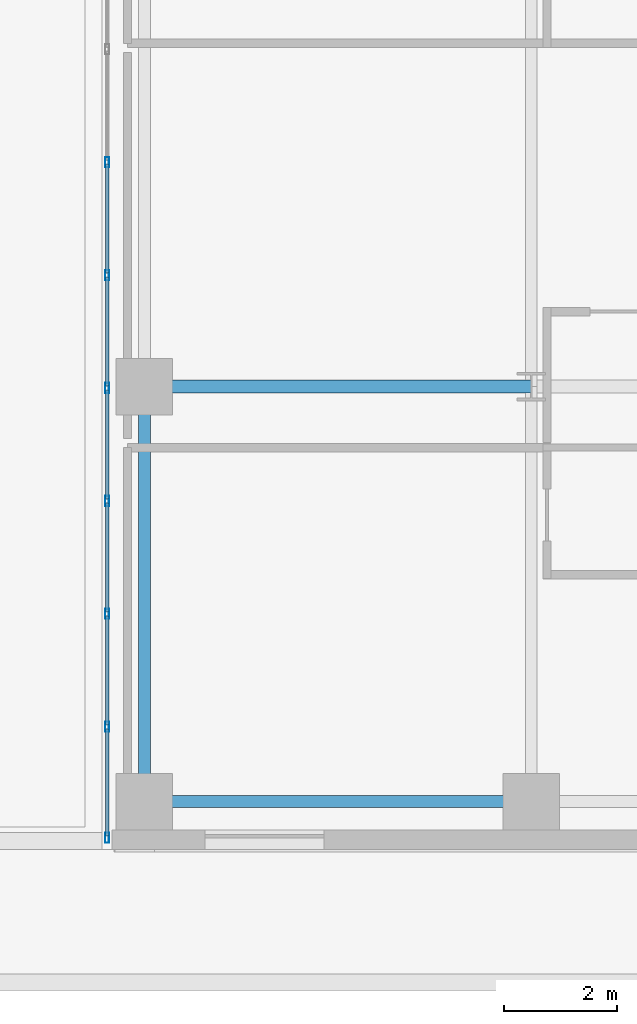
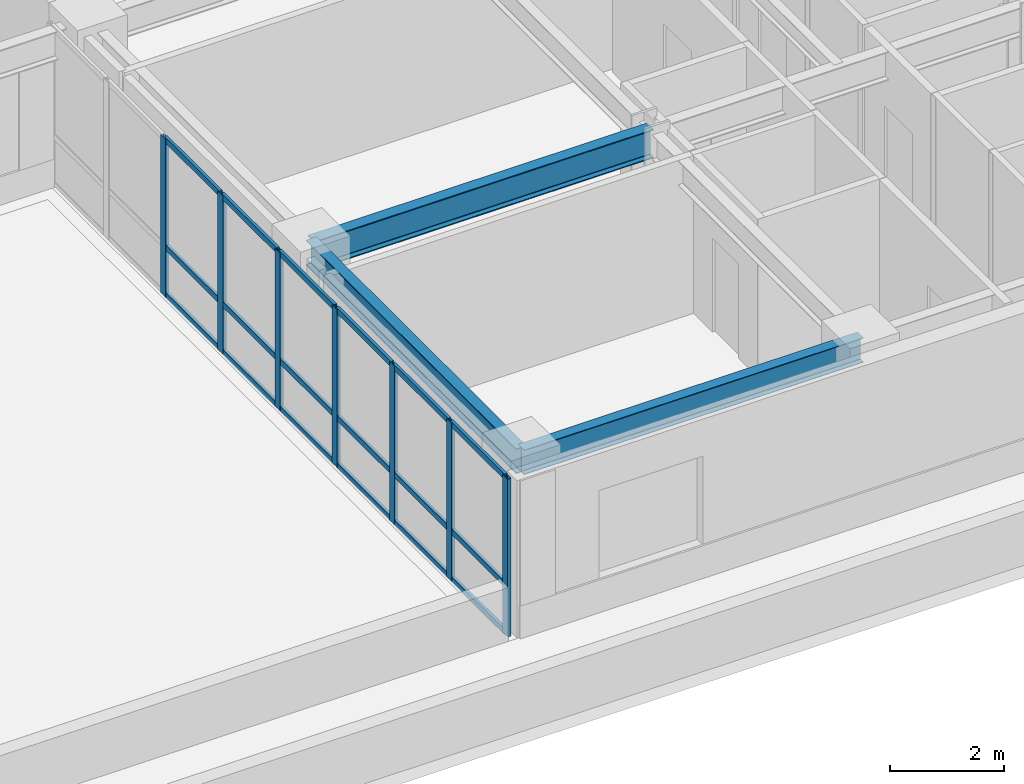
# One storey, part 8 of 25: 25 members, 3 beams, 1 element without a shape of its own.
"""IFC4 building model written with IfcOpenShell, lengths in metres."""

from ifc_helpers import new_model, si_unit, direction, frame, origin, origin_2d, place, context, subcontext, project, spatial, hollow_rectangle, i_section, extrude, source, transform, mapped, material, layer, layer_set, material_profile, profile_set, type_object, type_shapes, element, aggregate, save


model = new_model("IFC4")

# Units and contexts
model_context = context("Model", 3, precision=1e-05, world=origin(), true_north=direction((0.0, 1.0)))
body_context = subcontext(model_context, "Body", "Model", "MODEL_VIEW")
ifc_project = project(units=[si_unit("LENGTHUNIT", "METRE"), si_unit("AREAUNIT", "SQUARE_METRE"), si_unit("VOLUMEUNIT", "CUBIC_METRE"), si_unit("PLANEANGLEUNIT", "RADIAN"), si_unit("MASSUNIT", "GRAM", prefix="KILO")], contexts=[model_context])

# Site, building, storey
site_placement = place(None, origin())
site = spatial("IfcSite", under=ifc_project, at=site_placement, CompositionType="ELEMENT")
building_placement = place(site_placement, origin())
building = spatial("IfcBuilding", under=site, at=building_placement, Name="Tolvann Quenvar Hotel", CompositionType="ELEMENT")
storey_placement = place(building_placement, frame((0.0, 0.0, 32.0)))
storey = spatial("IfcBuildingStorey", under=building, at=storey_placement, Name="L06", CompositionType="ELEMENT", Elevation=32.0)

# Beams
ifc_material_1 = material(Name="Steel Grade 350", Category="steel")
ifc_material_profile_1 = material_profile(ifc_material_1, i_section(OverallWidth=0.208984375, OverallDepth=0.528076171875, WebThickness=0.009521484375, FlangeThickness=0.01318359375, FilletRadius=0.013916015625, at=origin_2d()), Name="530UB82")
ifc_profile_set_1 = profile_set([ifc_material_profile_1], Name="Steel Grade 350")
beam_type_1 = type_object("IfcBeamType", Name="BM_SPAND_530UB82", PredefinedType="SPANDREL", material=ifc_profile_set_1)
shared_shape_1 = source(origin(), body_context, "Body", "SweptSolid", [
    extrude(i_section(OverallWidth=0.208984375, OverallDepth=0.528076171875, WebThickness=0.009521484375, FlangeThickness=0.01318359375, FilletRadius=0.013916015625, at=origin_2d()), origin(), (0.0, 0.0, 1.0), 6.85009765625),
])
type_shapes(beam_type_1, [shared_shape_1])
beam_1_placement = place(storey_placement, frame((34.949951171875, 0.85009765625, 3.10595703125), z_axis=(1.0, 0.0, 0.0), x_axis=(0.0, 1.0, 0.0)))
element("IfcBeam", 1, at=beam_1_placement, inside=storey, type_object=beam_type_1, Name="BM-L06-EW-2-F2-H2", PredefinedType="SPANDREL", context=body_context, shape_type="MappedRepresentation", body=[
    mapped(shared_shape_1, transform((0.0, 0.0, 0.0), x_axis=(1.0, 0.0, 0.0), y_axis=(0.0, 1.0, 0.0), z_axis=(0.0, 0.0, 1.0), scale=1.0)),
])
ifc_material_profile_2 = material_profile(ifc_material_1, i_section(OverallWidth=0.22900390625, OverallDepth=0.612060546875, WebThickness=0.011962890625, FlangeThickness=0.01953125, FilletRadius=0.013916015625, at=origin_2d()), Name="610UB125")
ifc_profile_set_2 = profile_set([ifc_material_profile_2], Name="Steel Grade 350")
beam_type_2 = type_object("IfcBeamType", Name="BM_GIRD_610UB125", PredefinedType="BEAM", material=ifc_profile_set_2)
shared_shape_2 = source(origin(), body_context, "Body", "SweptSolid", [
    extrude(i_section(OverallWidth=0.22900390625, OverallDepth=0.612060546875, WebThickness=0.011962890625, FlangeThickness=0.01953125, FilletRadius=0.013916015625, at=origin_2d()), origin(), (0.0, 0.0, 1.0), 6.85009765625),
])
type_shapes(beam_type_2, [shared_shape_2])
beam_2_placement = place(storey_placement, frame((34.949951171875, 8.199951171875, 3.06396484375), z_axis=(1.0, 0.0, 0.0), x_axis=(0.0, 1.0, 0.0)))
element("IfcBeam", 2, at=beam_2_placement, inside=storey, type_object=beam_type_2, Name="BM-L06-EW-3-F3-H3", PredefinedType="BEAM", context=body_context, shape_type="MappedRepresentation", body=[
    mapped(shared_shape_2, transform((0.0, 0.0, 0.0), x_axis=(1.0, 0.0, 0.0), y_axis=(0.0, 1.0, 0.0), z_axis=(0.0, 0.0, 1.0), scale=1.0)),
])
ifc_material_profile_3 = material_profile(ifc_material_1, i_section(OverallWidth=0.208984375, OverallDepth=0.532958984375, WebThickness=0.01025390625, FlangeThickness=0.015625, FilletRadius=0.013916015625, at=origin_2d()), Name="530UB92")
ifc_profile_set_3 = profile_set([ifc_material_profile_3], Name="Steel Grade 350")
beam_type_3 = type_object("IfcBeamType", Name="BM_GIRD_530UB92", PredefinedType="BEAM", material=ifc_profile_set_3)
shared_shape_3 = source(origin(), body_context, "Body", "SweptSolid", [
    extrude(i_section(OverallWidth=0.208984375, OverallDepth=0.532958984375, WebThickness=0.01025390625, FlangeThickness=0.015625, FilletRadius=0.013916015625, at=origin_2d()), origin(), (0.0, 0.0, 1.0), 7.349853515625),
])
type_shapes(beam_type_3, [shared_shape_3])
beam_3_placement = place(storey_placement, frame((34.949951171875, 0.85009765625, 3.103515625), z_axis=(0.0, 1.0, 0.0), x_axis=(-1.0, 0.0, 0.0)))
element("IfcBeam", 3, at=beam_3_placement, inside=storey, type_object=beam_type_3, Name="BM-L06-NS-F2-F3", PredefinedType="BEAM", context=body_context, shape_type="MappedRepresentation", body=[
    mapped(shared_shape_3, transform((0.0, 0.0, 0.0), x_axis=(1.0, 0.0, 0.0), y_axis=(0.0, 1.0, 0.0), z_axis=(0.0, 0.0, 1.0), scale=1.0)),
])

# Curtain wall, members
ifc_material_2 = material(Name="Thermally broken anodised architectural aluminium 6063-T6 and laminated low-E glass", Category="aluminium")
ifc_layer = layer(ifc_material_2, 0.179931640625)
ifc_layer_set = layer_set([ifc_layer], Name="Thermally broken anodised architectural aluminium 6063-T6 and laminated low-E glass")
curtain_wall_type = type_object("IfcCurtainWallType", Name="CW_SYS_SLOT_03", PredefinedType="USERDEFINED", material=ifc_layer_set)
curtain_wall_placement = place(storey_placement, origin())
curtain_wall = element("IfcCurtainWall", 4, at=curtain_wall_placement, inside=storey, type_object=curtain_wall_type, Name="Curtain Wall CW-SLOT-03 (CWR-L06-E07)", ObjectType="UNITISED CURTAIN WALL", PredefinedType="USERDEFINED")
ifc_material_3 = material(Name="Anodised architectural aluminium 6063-T6 framing", Category="aluminium")
ifc_material_profile_4 = material_profile(ifc_material_3, hollow_rectangle(XDim=0.070068359375, YDim=0.179931640625, WallThickness=0.00390625, at=origin_2d()), Name="180x70x4RHS")
ifc_profile_set_4 = profile_set([ifc_material_profile_4], Name="Anodised architectural aluminium 6063-T6 framing")
member_type_1 = type_object("IfcMemberType", Name="CW_MULL_180x70", PredefinedType="MULLION", material=ifc_profile_set_4)
shared_shape_4 = source(origin(), body_context, "Body", "SweptSolid", [
    extrude(hollow_rectangle(XDim=0.070068359375, YDim=0.179931640625, WallThickness=0.00390625, at=origin_2d()), origin(), (0.0, 0.0, 1.0), 3.3701171875),
])
type_shapes(member_type_1, [shared_shape_4])
member_1_placement = place(storey_placement, frame((34.2900390625, 12.175048828125, 0.0), z_axis=(0.0, 0.0, 1.0), x_axis=(1.0, 0.0, 0.0)))
member_1 = element("IfcMember", 5, at=member_1_placement, type_object=member_type_1, Name="CW-SLOT-03 mullion 3", PredefinedType="MULLION", context=body_context, shape_type="MappedRepresentation", body=[
    mapped(shared_shape_4, transform((0.0, 0.0, 0.0), x_axis=(1.0, 0.0, 0.0), y_axis=(0.0, 1.0, 0.0), z_axis=(0.0, 0.0, 1.0), scale=1.0)),
])
member_2_placement = place(storey_placement, frame((34.2900390625, 10.175048828125, 0.0), z_axis=(0.0, 0.0, 1.0), x_axis=(1.0, 0.0, 0.0)))
member_2 = element("IfcMember", 6, at=member_2_placement, type_object=member_type_1, Name="CW-SLOT-03 mullion 4", PredefinedType="MULLION", context=body_context, shape_type="MappedRepresentation", body=[
    mapped(shared_shape_4, transform((0.0, 0.0, 0.0), x_axis=(1.0, 0.0, 0.0), y_axis=(0.0, 1.0, 0.0), z_axis=(0.0, 0.0, 1.0), scale=1.0)),
])
member_3_placement = place(storey_placement, frame((34.2900390625, 8.175048828125, 0.0), z_axis=(0.0, 0.0, 1.0), x_axis=(1.0, 0.0, 0.0)))
member_3 = element("IfcMember", 7, at=member_3_placement, type_object=member_type_1, Name="CW-SLOT-03 mullion 5", PredefinedType="MULLION", context=body_context, shape_type="MappedRepresentation", body=[
    mapped(shared_shape_4, transform((0.0, 0.0, 0.0), x_axis=(1.0, 0.0, 0.0), y_axis=(0.0, 1.0, 0.0), z_axis=(0.0, 0.0, 1.0), scale=1.0)),
])
member_4_placement = place(storey_placement, frame((34.2900390625, 6.175048828125, 0.0), z_axis=(0.0, 0.0, 1.0), x_axis=(1.0, 0.0, 0.0)))
member_4 = element("IfcMember", 8, at=member_4_placement, type_object=member_type_1, Name="CW-SLOT-03 mullion 6", PredefinedType="MULLION", context=body_context, shape_type="MappedRepresentation", body=[
    mapped(shared_shape_4, transform((0.0, 0.0, 0.0), x_axis=(1.0, 0.0, 0.0), y_axis=(0.0, 1.0, 0.0), z_axis=(0.0, 0.0, 1.0), scale=1.0)),
])
member_5_placement = place(storey_placement, frame((34.2900390625, 4.175048828125, 0.0), z_axis=(0.0, 0.0, 1.0), x_axis=(1.0, 0.0, 0.0)))
member_5 = element("IfcMember", 9, at=member_5_placement, type_object=member_type_1, Name="CW-SLOT-03 mullion 7", PredefinedType="MULLION", context=body_context, shape_type="MappedRepresentation", body=[
    mapped(shared_shape_4, transform((0.0, 0.0, 0.0), x_axis=(1.0, 0.0, 0.0), y_axis=(0.0, 1.0, 0.0), z_axis=(0.0, 0.0, 1.0), scale=1.0)),
])
member_6_placement = place(storey_placement, frame((34.2900390625, 2.175048828125, 0.0), z_axis=(0.0, 0.0, 1.0), x_axis=(1.0, 0.0, 0.0)))
member_6 = element("IfcMember", 10, at=member_6_placement, type_object=member_type_1, Name="CW-SLOT-03 mullion 8", PredefinedType="MULLION", context=body_context, shape_type="MappedRepresentation", body=[
    mapped(shared_shape_4, transform((0.0, 0.0, 0.0), x_axis=(1.0, 0.0, 0.0), y_axis=(0.0, 1.0, 0.0), z_axis=(0.0, 0.0, 1.0), scale=1.0)),
])
member_7_placement = place(storey_placement, frame((34.2900390625, 0.2099609375, 0.0), z_axis=(0.0, 0.0, 1.0), x_axis=(1.0, 0.0, 0.0)))
member_7 = element("IfcMember", 11, at=member_7_placement, type_object=member_type_1, Name="CW-SLOT-03 mullion 9", PredefinedType="MULLION", context=body_context, shape_type="MappedRepresentation", body=[
    mapped(shared_shape_4, transform((0.0, 0.0, 0.0), x_axis=(1.0, 0.0, 0.0), y_axis=(0.0, 1.0, 0.0), z_axis=(0.0, 0.0, 1.0), scale=1.0)),
])
ifc_material_profile_5 = material_profile(ifc_material_3, hollow_rectangle(XDim=0.06005859375, YDim=0.1201171875, WallThickness=0.00341796875, at=origin_2d()), Name="120x60x3.5RHS")
ifc_profile_set_5 = profile_set([ifc_material_profile_5], Name="Anodised architectural aluminium 6063-T6 framing")
member_type_2 = type_object("IfcMemberType", Name="CW_TRAN_120x60", PredefinedType="USERDEFINED", material=ifc_profile_set_5)
shared_shape_5 = source(origin(), body_context, "Body", "SweptSolid", [
    extrude(hollow_rectangle(XDim=0.06005859375, YDim=0.1201171875, WallThickness=0.00341796875, at=origin_2d()), origin(), (0.0, 0.0, 1.0), 1.894775390625),
])
member_8_placement = place(storey_placement, frame((34.2900390625, 2.139892578125, 0.030029296875), z_axis=(0.0, -1.0, 0.0), x_axis=(1.0, 0.0, 0.0)))
member_8 = element("IfcMember", 12, at=member_8_placement, type_object=member_type_2, Name="CW-SLOT-03 transom 8.1", ObjectType="TRANSOM", PredefinedType="USERDEFINED", context=body_context, shape_type="MappedRepresentation", body=[
    mapped(shared_shape_5, transform((0.0, 0.0, 0.0), x_axis=(1.0, 0.0, 0.0), y_axis=(0.0, 1.0, 0.0), z_axis=(0.0, 0.0, 1.0), scale=1.0)),
])
member_9_placement = place(storey_placement, frame((34.2900390625, 2.139892578125, 1.050048828125), z_axis=(0.0, -1.0, 0.0), x_axis=(1.0, 0.0, 0.0)))
member_9 = element("IfcMember", 13, at=member_9_placement, type_object=member_type_2, Name="CW-SLOT-03 transom 8.2", ObjectType="TRANSOM", PredefinedType="USERDEFINED", context=body_context, shape_type="MappedRepresentation", body=[
    mapped(shared_shape_5, transform((0.0, 0.0, 0.0), x_axis=(1.0, 0.0, 0.0), y_axis=(0.0, 1.0, 0.0), z_axis=(0.0, 0.0, 1.0), scale=1.0)),
])
member_10_placement = place(storey_placement, frame((34.2900390625, 2.139892578125, 3.340087890625), z_axis=(0.0, -1.0, 0.0), x_axis=(1.0, 0.0, 0.0)))
member_10 = element("IfcMember", 14, at=member_10_placement, type_object=member_type_2, Name="CW-SLOT-03 transom 8.3", ObjectType="TRANSOM", PredefinedType="USERDEFINED", context=body_context, shape_type="MappedRepresentation", body=[
    mapped(shared_shape_5, transform((0.0, 0.0, 0.0), x_axis=(1.0, 0.0, 0.0), y_axis=(0.0, 1.0, 0.0), z_axis=(0.0, 0.0, 1.0), scale=1.0)),
])
shared_shape_6 = source(origin(), body_context, "Body", "SweptSolid", [
    extrude(hollow_rectangle(XDim=0.06005859375, YDim=0.1201171875, WallThickness=0.00341796875, at=origin_2d()), origin(), (0.0, 0.0, 1.0), 1.929931640625),
])
type_shapes(member_type_2, [shared_shape_5, shared_shape_6])
member_11_placement = place(storey_placement, frame((34.2900390625, 12.139892578125, 0.030029296875), z_axis=(0.0, -1.0, 0.0), x_axis=(1.0, 0.0, 0.0)))
member_11 = element("IfcMember", 15, at=member_11_placement, type_object=member_type_2, Name="CW-SLOT-03 transom 3.1", ObjectType="TRANSOM", PredefinedType="USERDEFINED", context=body_context, shape_type="MappedRepresentation", body=[
    mapped(shared_shape_6, transform((0.0, 0.0, 0.0), x_axis=(1.0, 0.0, 0.0), y_axis=(0.0, 1.0, 0.0), z_axis=(0.0, 0.0, 1.0), scale=1.0)),
])
member_12_placement = place(storey_placement, frame((34.2900390625, 12.139892578125, 1.050048828125), z_axis=(0.0, -1.0, 0.0), x_axis=(1.0, 0.0, 0.0)))
member_12 = element("IfcMember", 16, at=member_12_placement, type_object=member_type_2, Name="CW-SLOT-03 transom 3.2", ObjectType="TRANSOM", PredefinedType="USERDEFINED", context=body_context, shape_type="MappedRepresentation", body=[
    mapped(shared_shape_6, transform((0.0, 0.0, 0.0), x_axis=(1.0, 0.0, 0.0), y_axis=(0.0, 1.0, 0.0), z_axis=(0.0, 0.0, 1.0), scale=1.0)),
])
member_13_placement = place(storey_placement, frame((34.2900390625, 12.139892578125, 3.340087890625), z_axis=(0.0, -1.0, 0.0), x_axis=(1.0, 0.0, 0.0)))
member_13 = element("IfcMember", 17, at=member_13_placement, type_object=member_type_2, Name="CW-SLOT-03 transom 3.3", ObjectType="TRANSOM", PredefinedType="USERDEFINED", context=body_context, shape_type="MappedRepresentation", body=[
    mapped(shared_shape_6, transform((0.0, 0.0, 0.0), x_axis=(1.0, 0.0, 0.0), y_axis=(0.0, 1.0, 0.0), z_axis=(0.0, 0.0, 1.0), scale=1.0)),
])
member_14_placement = place(storey_placement, frame((34.2900390625, 10.139892578125, 0.030029296875), z_axis=(0.0, -1.0, 0.0), x_axis=(1.0, 0.0, 0.0)))
member_14 = element("IfcMember", 18, at=member_14_placement, type_object=member_type_2, Name="CW-SLOT-03 transom 4.1", ObjectType="TRANSOM", PredefinedType="USERDEFINED", context=body_context, shape_type="MappedRepresentation", body=[
    mapped(shared_shape_6, transform((0.0, 0.0, 0.0), x_axis=(1.0, 0.0, 0.0), y_axis=(0.0, 1.0, 0.0), z_axis=(0.0, 0.0, 1.0), scale=1.0)),
])
member_15_placement = place(storey_placement, frame((34.2900390625, 10.139892578125, 1.050048828125), z_axis=(0.0, -1.0, 0.0), x_axis=(1.0, 0.0, 0.0)))
member_15 = element("IfcMember", 19, at=member_15_placement, type_object=member_type_2, Name="CW-SLOT-03 transom 4.2", ObjectType="TRANSOM", PredefinedType="USERDEFINED", context=body_context, shape_type="MappedRepresentation", body=[
    mapped(shared_shape_6, transform((0.0, 0.0, 0.0), x_axis=(1.0, 0.0, 0.0), y_axis=(0.0, 1.0, 0.0), z_axis=(0.0, 0.0, 1.0), scale=1.0)),
])
member_16_placement = place(storey_placement, frame((34.2900390625, 10.139892578125, 3.340087890625), z_axis=(0.0, -1.0, 0.0), x_axis=(1.0, 0.0, 0.0)))
member_16 = element("IfcMember", 20, at=member_16_placement, type_object=member_type_2, Name="CW-SLOT-03 transom 4.3", ObjectType="TRANSOM", PredefinedType="USERDEFINED", context=body_context, shape_type="MappedRepresentation", body=[
    mapped(shared_shape_6, transform((0.0, 0.0, 0.0), x_axis=(1.0, 0.0, 0.0), y_axis=(0.0, 1.0, 0.0), z_axis=(0.0, 0.0, 1.0), scale=1.0)),
])
member_17_placement = place(storey_placement, frame((34.2900390625, 8.139892578125, 0.030029296875), z_axis=(0.0, -1.0, 0.0), x_axis=(1.0, 0.0, 0.0)))
member_17 = element("IfcMember", 21, at=member_17_placement, type_object=member_type_2, Name="CW-SLOT-03 transom 5.1", ObjectType="TRANSOM", PredefinedType="USERDEFINED", context=body_context, shape_type="MappedRepresentation", body=[
    mapped(shared_shape_6, transform((0.0, 0.0, 0.0), x_axis=(1.0, 0.0, 0.0), y_axis=(0.0, 1.0, 0.0), z_axis=(0.0, 0.0, 1.0), scale=1.0)),
])
member_18_placement = place(storey_placement, frame((34.2900390625, 8.139892578125, 1.050048828125), z_axis=(0.0, -1.0, 0.0), x_axis=(1.0, 0.0, 0.0)))
member_18 = element("IfcMember", 22, at=member_18_placement, type_object=member_type_2, Name="CW-SLOT-03 transom 5.2", ObjectType="TRANSOM", PredefinedType="USERDEFINED", context=body_context, shape_type="MappedRepresentation", body=[
    mapped(shared_shape_6, transform((0.0, 0.0, 0.0), x_axis=(1.0, 0.0, 0.0), y_axis=(0.0, 1.0, 0.0), z_axis=(0.0, 0.0, 1.0), scale=1.0)),
])
member_19_placement = place(storey_placement, frame((34.2900390625, 8.139892578125, 3.340087890625), z_axis=(0.0, -1.0, 0.0), x_axis=(1.0, 0.0, 0.0)))
member_19 = element("IfcMember", 23, at=member_19_placement, type_object=member_type_2, Name="CW-SLOT-03 transom 5.3", ObjectType="TRANSOM", PredefinedType="USERDEFINED", context=body_context, shape_type="MappedRepresentation", body=[
    mapped(shared_shape_6, transform((0.0, 0.0, 0.0), x_axis=(1.0, 0.0, 0.0), y_axis=(0.0, 1.0, 0.0), z_axis=(0.0, 0.0, 1.0), scale=1.0)),
])
member_20_placement = place(storey_placement, frame((34.2900390625, 6.139892578125, 0.030029296875), z_axis=(0.0, -1.0, 0.0), x_axis=(1.0, 0.0, 0.0)))
member_20 = element("IfcMember", 24, at=member_20_placement, type_object=member_type_2, Name="CW-SLOT-03 transom 6.1", ObjectType="TRANSOM", PredefinedType="USERDEFINED", context=body_context, shape_type="MappedRepresentation", body=[
    mapped(shared_shape_6, transform((0.0, 0.0, 0.0), x_axis=(1.0, 0.0, 0.0), y_axis=(0.0, 1.0, 0.0), z_axis=(0.0, 0.0, 1.0), scale=1.0)),
])
member_21_placement = place(storey_placement, frame((34.2900390625, 6.139892578125, 1.050048828125), z_axis=(0.0, -1.0, 0.0), x_axis=(1.0, 0.0, 0.0)))
member_21 = element("IfcMember", 25, at=member_21_placement, type_object=member_type_2, Name="CW-SLOT-03 transom 6.2", ObjectType="TRANSOM", PredefinedType="USERDEFINED", context=body_context, shape_type="MappedRepresentation", body=[
    mapped(shared_shape_6, transform((0.0, 0.0, 0.0), x_axis=(1.0, 0.0, 0.0), y_axis=(0.0, 1.0, 0.0), z_axis=(0.0, 0.0, 1.0), scale=1.0)),
])
member_22_placement = place(storey_placement, frame((34.2900390625, 6.139892578125, 3.340087890625), z_axis=(0.0, -1.0, 0.0), x_axis=(1.0, 0.0, 0.0)))
member_22 = element("IfcMember", 26, at=member_22_placement, type_object=member_type_2, Name="CW-SLOT-03 transom 6.3", ObjectType="TRANSOM", PredefinedType="USERDEFINED", context=body_context, shape_type="MappedRepresentation", body=[
    mapped(shared_shape_6, transform((0.0, 0.0, 0.0), x_axis=(1.0, 0.0, 0.0), y_axis=(0.0, 1.0, 0.0), z_axis=(0.0, 0.0, 1.0), scale=1.0)),
])
member_23_placement = place(storey_placement, frame((34.2900390625, 4.139892578125, 0.030029296875), z_axis=(0.0, -1.0, 0.0), x_axis=(1.0, 0.0, 0.0)))
member_23 = element("IfcMember", 27, at=member_23_placement, type_object=member_type_2, Name="CW-SLOT-03 transom 7.1", ObjectType="TRANSOM", PredefinedType="USERDEFINED", context=body_context, shape_type="MappedRepresentation", body=[
    mapped(shared_shape_6, transform((0.0, 0.0, 0.0), x_axis=(1.0, 0.0, 0.0), y_axis=(0.0, 1.0, 0.0), z_axis=(0.0, 0.0, 1.0), scale=1.0)),
])
member_24_placement = place(storey_placement, frame((34.2900390625, 4.139892578125, 1.050048828125), z_axis=(0.0, -1.0, 0.0), x_axis=(1.0, 0.0, 0.0)))
member_24 = element("IfcMember", 28, at=member_24_placement, type_object=member_type_2, Name="CW-SLOT-03 transom 7.2", ObjectType="TRANSOM", PredefinedType="USERDEFINED", context=body_context, shape_type="MappedRepresentation", body=[
    mapped(shared_shape_6, transform((0.0, 0.0, 0.0), x_axis=(1.0, 0.0, 0.0), y_axis=(0.0, 1.0, 0.0), z_axis=(0.0, 0.0, 1.0), scale=1.0)),
])
member_25_placement = place(storey_placement, frame((34.2900390625, 4.139892578125, 3.340087890625), z_axis=(0.0, -1.0, 0.0), x_axis=(1.0, 0.0, 0.0)))
member_25 = element("IfcMember", 29, at=member_25_placement, type_object=member_type_2, Name="CW-SLOT-03 transom 7.3", ObjectType="TRANSOM", PredefinedType="USERDEFINED", context=body_context, shape_type="MappedRepresentation", body=[
    mapped(shared_shape_6, transform((0.0, 0.0, 0.0), x_axis=(1.0, 0.0, 0.0), y_axis=(0.0, 1.0, 0.0), z_axis=(0.0, 0.0, 1.0), scale=1.0)),
])
aggregate(curtain_wall, [member_1, member_2, member_3, member_4, member_5, member_6, member_7, member_11, member_12, member_13, member_14, member_15, member_16, member_17, member_18, member_19, member_20, member_21, member_22, member_23, member_24, member_25, member_8, member_9, member_10])

save(model, "model.ifc")
